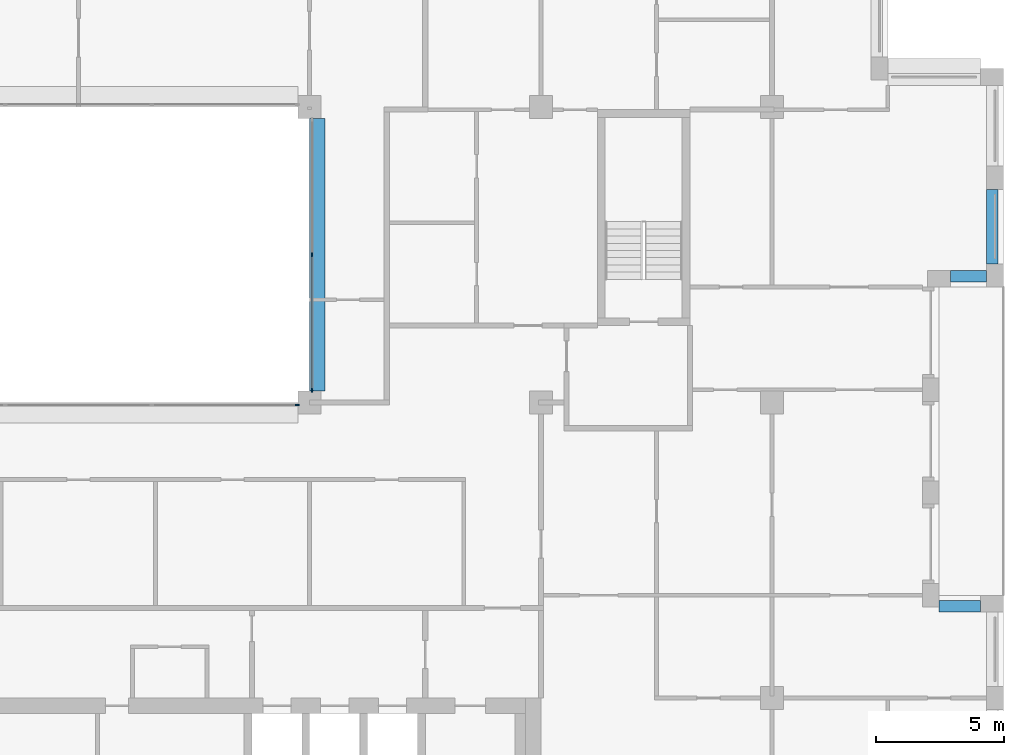
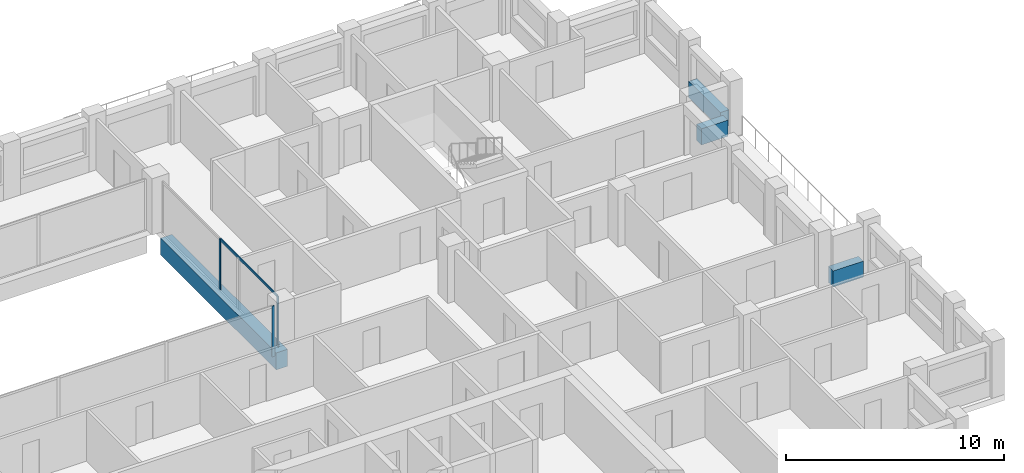
# One storey, part 4 of 16: 4 beams, 4 members, 2 elements without a shape of their own.
"""IFC4 building model written with IfcOpenShell, lengths in metres."""

from ifc_helpers import new_model, si_unit, direction, frame, origin, origin_2d, place, context, subcontext, project, spatial, rectangle, extrude, material, layer, layer_set, material_profile, profile_set, type_object, element, aggregate, save


model = new_model("IFC4")

# Units and contexts
model_context = context("Model", 3, precision=1e-05, world=origin(), true_north=direction((0.0, 1.0)))
body_context = subcontext(model_context, "Body", "Model", "MODEL_VIEW")
ifc_project = project(units=[si_unit("LENGTHUNIT", "METRE"), si_unit("AREAUNIT", "SQUARE_METRE"), si_unit("VOLUMEUNIT", "CUBIC_METRE"), si_unit("PLANEANGLEUNIT", "RADIAN"), si_unit("MASSUNIT", "GRAM", prefix="KILO")], contexts=[model_context])

# Site, building, storey
site_placement = place(None, origin())
site = spatial("IfcSite", under=ifc_project, at=site_placement, CompositionType="ELEMENT")
building_placement = place(site_placement, origin())
building = spatial("IfcBuilding", under=site, at=building_placement, Name="Brigalow Station Residences", CompositionType="ELEMENT")
storey_placement = place(building_placement, frame((0.0, 0.0, 204.300048828125)))
storey = spatial("IfcBuildingStorey", under=building, at=storey_placement, Name="L58", CompositionType="ELEMENT", Elevation=204.300048828125)

# Beam
ifc_material_1 = material(Name="Concrete C65", Category="concrete")
ifc_material_profile_1 = material_profile(ifc_material_1, rectangle(XDim=0.60009765625, YDim=0.949951171875, at=origin_2d()), Name="RC600x950")
ifc_profile_set_1 = profile_set([ifc_material_profile_1], Name="Concrete C65")
beam_type_1 = type_object("IfcBeamType", Name="ATRIUM EDGE GIRDER 600x950 C65", PredefinedType="BEAM", material=ifc_profile_set_1)
beam_1_placement = place(storey_placement, frame((45.300048828125, 24.449951171875, -0.795166015625), z_axis=(0.0, 1.0, 0.0), x_axis=(-1.0, 0.0, 0.0)))
element("IfcBeam", 1, at=beam_1_placement, inside=storey, type_object=beam_type_1, Name="ATRIUM EDGE GIRDER 5 L58", PredefinedType="BEAM", context=body_context, shape_type="SweptSolid", body=[
    extrude(rectangle(XDim=0.60009765625, YDim=0.949951171875, at=origin_2d()), origin(), (0.0, 0.0, 1.0), 10.60009765625),
])

# Curtain wall, member
ifc_material_2 = material(Name="Aluminium", Category="aluminium")
ifc_layer = layer(ifc_material_2, 0.14990234375)
ifc_layer_set = layer_set([ifc_layer], Name="ATRIUM FIRE-RATED GLAZING CURTAIN WALL")
curtain_wall_type = type_object("IfcCurtainWallType", Name="ATRIUM FIRE-RATED GLAZING CURTAIN WALL", PredefinedType="NOTDEFINED", material=ifc_layer_set)
curtain_wall_1_placement = place(storey_placement, origin())
curtain_wall_1 = element("IfcCurtainWall", 2, at=curtain_wall_1_placement, inside=storey, type_object=curtain_wall_type, Name="L58/cw/atrium-S", PredefinedType="NOTDEFINED")
ifc_material_3 = material(Name="Aluminium", Category="aluminium")
ifc_material_profile_2 = material_profile(ifc_material_3, rectangle(XDim=0.06005859375, YDim=0.14990234375, at=origin_2d()), Name="ATRIUM FIRE-RATED GLAZING MULLION 60x150")
ifc_profile_set_2 = profile_set([ifc_material_profile_2], Name="Aluminium")
member_type_1 = type_object("IfcMemberType", Name="ATRIUM FIRE-RATED GLAZING MULLION 60x150", PredefinedType="MULLION", material=ifc_profile_set_2)
member_1_placement = place(storey_placement, frame((44.52001953125, 23.89990234375, 0.0), z_axis=(0.0, 0.0, 1.0), x_axis=(0.0, 1.0, 0.0)))
member_1 = element("IfcMember", 3, at=member_1_placement, type_object=member_type_1, Name="L58/cw/atrium-S/M03", PredefinedType="MULLION", context=body_context, shape_type="SweptSolid", body=[
    extrude(rectangle(XDim=0.06005859375, YDim=0.14990234375, at=origin_2d()), origin(), (0.0, 0.0, 1.0), 2.829833984375),
])
aggregate(curtain_wall_1, [member_1])

# Curtain wall, members
curtain_wall_2_placement = place(storey_placement, origin())
curtain_wall_2 = element("IfcCurtainWall", 4, at=curtain_wall_2_placement, inside=storey, type_object=curtain_wall_type, Name="L58/cw/atrium-E", PredefinedType="NOTDEFINED")
member_2_placement = place(storey_placement, frame((45.10009765625, 24.47998046875, 0.0), z_axis=(0.0, 0.0, 1.0), x_axis=(-1.0, 0.0, 0.0)))
member_2 = element("IfcMember", 5, at=member_2_placement, type_object=member_type_1, Name="L58/cw/atrium-E/M00", PredefinedType="MULLION", context=body_context, shape_type="SweptSolid", body=[
    extrude(rectangle(XDim=0.06005859375, YDim=0.14990234375, at=origin_2d()), origin(), (0.0, 0.0, 1.0), 2.829833984375),
])
member_3_placement = place(storey_placement, frame((45.10009765625, 29.75, 0.0), z_axis=(0.0, 0.0, 1.0), x_axis=(-1.0, 0.0, 0.0)))
member_3 = element("IfcMember", 6, at=member_3_placement, type_object=member_type_1, Name="L58/cw/atrium-E/M01", PredefinedType="MULLION", context=body_context, shape_type="SweptSolid", body=[
    extrude(rectangle(XDim=0.06005859375, YDim=0.14990234375, at=origin_2d()), origin(), (0.0, 0.0, 1.0), 2.829833984375),
])
ifc_material_4 = material(Name="Aluminium", Category="aluminium")
ifc_material_profile_3 = material_profile(ifc_material_4, rectangle(XDim=0.06005859375, YDim=0.1201171875, at=origin_2d()), Name="ATRIUM FIRE-RATED GLAZING TRANSOM 60x120")
ifc_profile_set_3 = profile_set([ifc_material_profile_3], Name="Aluminium")
member_type_2 = type_object("IfcMemberType", Name="ATRIUM FIRE-RATED GLAZING TRANSOM 60x120", PredefinedType="USERDEFINED", material=ifc_profile_set_3)
member_4_placement = place(storey_placement, frame((45.10009765625, 24.510009765625, 2.800048828125), z_axis=(0.0, 1.0, 0.0), x_axis=(-1.0, 0.0, 0.0)))
member_4 = element("IfcMember", 7, at=member_4_placement, type_object=member_type_2, Name="L58/cw/atrium-E/T00-00", ObjectType="TRANSOM", PredefinedType="USERDEFINED", context=body_context, shape_type="SweptSolid", body=[
    extrude(rectangle(XDim=0.06005859375, YDim=0.1201171875, at=origin_2d()), origin(), (0.0, 0.0, 1.0), 5.2099609375),
])
aggregate(curtain_wall_2, [member_2, member_3, member_4])

# Beams
ifc_material_5 = material(Name="Concrete C50", Category="concrete")
ifc_material_profile_4 = material_profile(ifc_material_5, rectangle(XDim=0.449951171875, YDim=0.89990234375, at=origin_2d()), Name="RC450x900")
ifc_profile_set_4 = profile_set([ifc_material_profile_4], Name="Concrete C50")
beam_type_2 = type_object("IfcBeamType", Name="SPANDREL BEAM 450x900 C50", PredefinedType="SPANDREL", material=ifc_profile_set_4)
beam_2_placement = place(storey_placement, frame((71.10009765625, 16.074951171875, 0.449951171875), z_axis=(-1.0, 0.0, 0.0), x_axis=(0.0, -1.0, 0.0)))
element("IfcBeam", 8, at=beam_2_placement, inside=storey, type_object=beam_type_2, Name="L58/spandrel/W-L58-11", PredefinedType="SPANDREL", context=body_context, shape_type="SweptSolid", body=[
    extrude(rectangle(XDim=0.449951171875, YDim=0.89990234375, at=origin_2d()), origin(), (0.0, 0.0, 1.0), 1.60009765625),
])
beam_3_placement = place(storey_placement, frame((69.949951171875, 28.925048828125, 0.449951171875), z_axis=(1.0, 0.0, 0.0), x_axis=(0.0, 1.0, 0.0)))
element("IfcBeam", 9, at=beam_3_placement, inside=storey, type_object=beam_type_2, Name="L58/spandrel/W-L58-15", PredefinedType="SPANDREL", context=body_context, shape_type="SweptSolid", body=[
    extrude(rectangle(XDim=0.449951171875, YDim=0.89990234375, at=origin_2d()), origin(), (0.0, 0.0, 1.0), 1.400146484375),
])
beam_4_placement = place(storey_placement, frame((71.574951171875, 29.39990234375, 0.449951171875), z_axis=(0.0, 1.0, 0.0), x_axis=(-1.0, 0.0, 0.0)))
element("IfcBeam", 10, at=beam_4_placement, inside=storey, type_object=beam_type_2, Name="L58/spandrel/W-L58-16", PredefinedType="SPANDREL", context=body_context, shape_type="SweptSolid", body=[
    extrude(rectangle(XDim=0.449951171875, YDim=0.89990234375, at=origin_2d()), origin(), (0.0, 0.0, 1.0), 2.900146484375),
])

save(model, "model.ifc")
